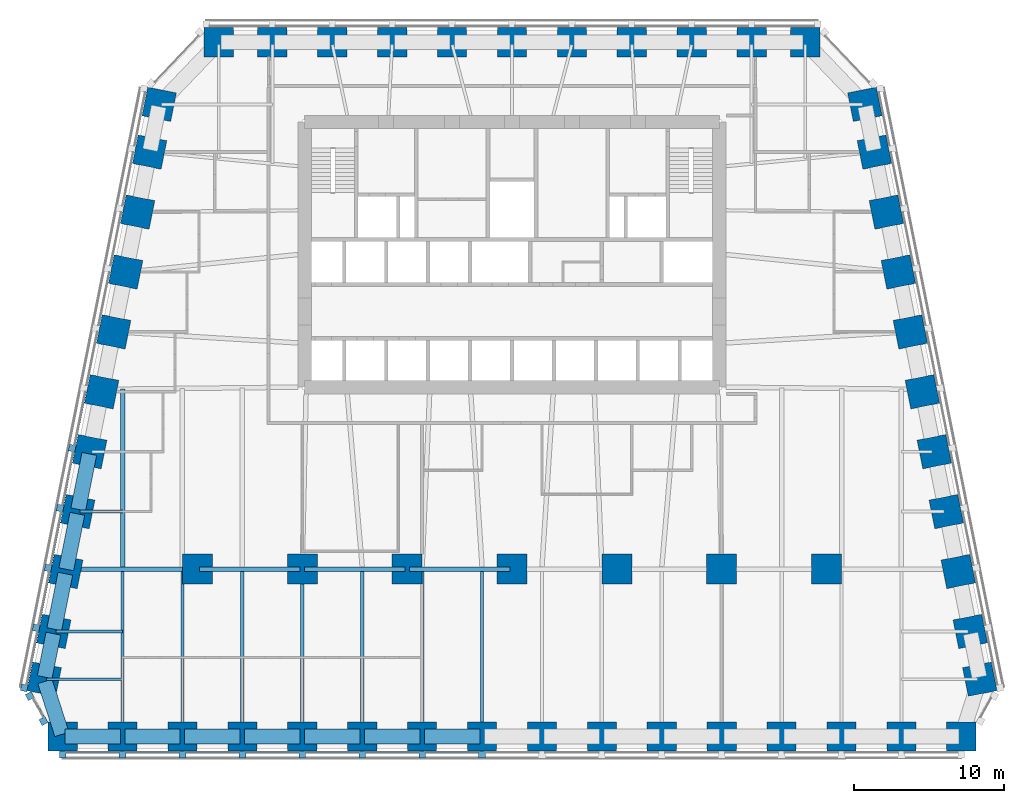
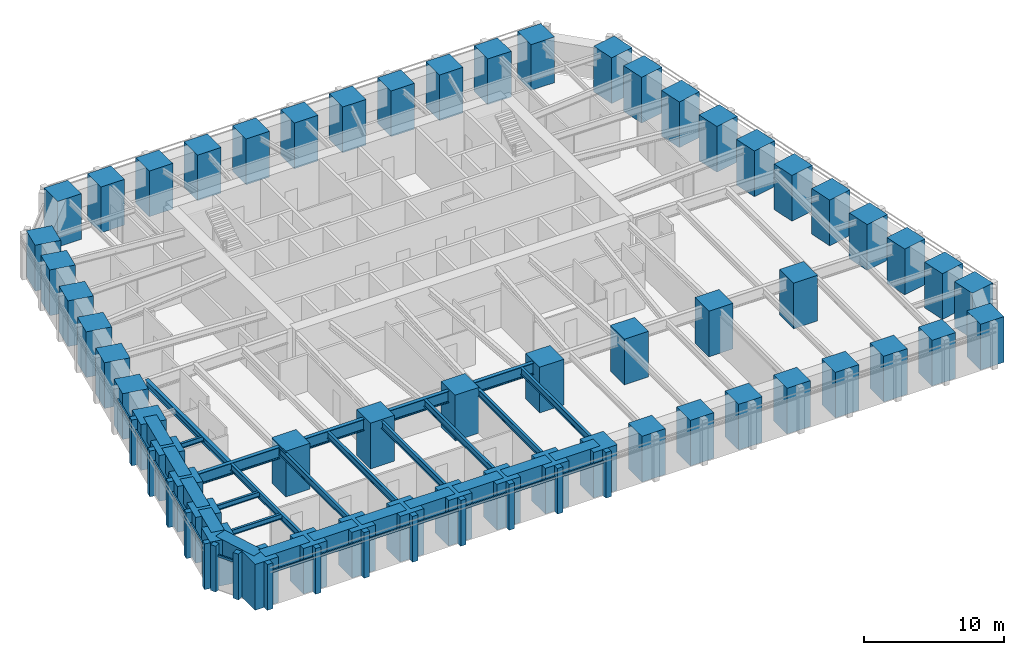
# One storey, part 1 of 10: 56 columns, 28 members, 27 beams, 3 elements without a shape of their own.
"""IFC4 building model written with IfcOpenShell, lengths in metres."""

from ifc_helpers import new_model, si_unit, direction, frame, origin, origin_2d, place, context, subcontext, project, spatial, rectangle, i_section, extrude, material, material_profile, profile_set, type_object, element, aggregate, save


model = new_model("IFC4")

# Units and contexts
model_context = context("Model", 3, precision=1e-05, world=origin(), true_north=direction((0.0, 1.0)))
body_context = subcontext(model_context, "Body", "Model", "MODEL_VIEW")
ifc_project = project(units=[si_unit("LENGTHUNIT", "METRE"), si_unit("AREAUNIT", "SQUARE_METRE"), si_unit("VOLUMEUNIT", "CUBIC_METRE"), si_unit("PLANEANGLEUNIT", "RADIAN"), si_unit("MASSUNIT", "GRAM", prefix="KILO")], contexts=[model_context])

# Site, building, storey
site_placement = place(None, origin())
site = spatial("IfcSite", under=ifc_project, at=site_placement, CompositionType="ELEMENT")
building_placement = place(site_placement, origin())
building = spatial("IfcBuilding", under=site, at=building_placement, Name="Isbrekke Arena Tower", CompositionType="ELEMENT")
storey_placement = place(building_placement, frame((0.0, 0.0, 56.0)))
storey = spatial("IfcBuildingStorey", under=building, at=storey_placement, Name="L11", CompositionType="ELEMENT", Elevation=56.0)

# Columns
ifc_material_1 = material(Name="Concrete B90 (C90/105)", Category="concrete")
ifc_material_profile_1 = material_profile(ifc_material_1, rectangle(XDim=2.0, YDim=2.0, at=origin_2d()), Name="RC 2000x2000")
ifc_profile_set_1 = profile_set([ifc_material_profile_1], Name="Concrete B90 (C90/105)")
column_type_1 = type_object("IfcColumnType", Name="C11 RC 2000 x 2000", PredefinedType="COLUMN", material=ifc_profile_set_1)
for number, where, z_axis, x_axis, name in (
    (1, (-21.0, -6.0, 0.0), (0.0, 0.0, 1.0), (1.0, 0.0, 0.0), "C11 I01"),
    (2, (-14.0, -6.0, 0.0), (0.0, 0.0, 1.0), (1.0, 0.0, 0.0), "C11 I02"),
    (3, (-7.0, -6.0, 0.0), (0.0, 0.0, 1.0), (1.0, 0.0, 0.0), "C11 I03"),
    (4, (0.0, -6.0, 0.0), (0.0, 0.0, 1.0), (1.0, 0.0, 0.0), "C11 I04"),
    (5, (7.0, -6.0, 0.0), (0.0, 0.0, 1.0), (1.0, 0.0, 0.0), "C11 I05"),
    (6, (14.0, -6.0, 0.0), (0.0, 0.0, 1.0), (1.0, 0.0, 0.0), "C11 I06"),
    (7, (21.0, -6.0, 0.0), (0.0, 0.0, 1.0), (1.0, 0.0, 0.0), "C11 I07"),
):
    element("IfcColumn", number, at=place(storey_placement, frame(where, z_axis=z_axis, x_axis=x_axis)), inside=storey, type_object=column_type_1, Name=name, PredefinedType="COLUMN", context=body_context, shape_type="SweptSolid", body=[
        extrude(rectangle(XDim=2.0, YDim=2.0, at=origin_2d()), origin(), (0.0, 0.0, 1.0), 4.0),
    ])
ifc_material_2 = material(Name="Concrete B90 (C90/105)", Category="concrete")
ifc_material_profile_2 = material_profile(ifc_material_2, rectangle(XDim=1.949951171875, YDim=1.949951171875, at=origin_2d()), Name="RC 1950x1950")
ifc_profile_set_2 = profile_set([ifc_material_profile_2], Name="Concrete B90 (C90/105)")
column_type_2 = type_object("IfcColumnType", Name="C2 RC 1950 x 1950", PredefinedType="COLUMN", material=ifc_profile_set_2)
for number, where, z_axis, x_axis, name in (
    (8, (-30.0, -17.175048828125, 0.0), (0.0, 0.0, 1.0), (1.0, 0.0, 0.0), "C2 S01"),
    (9, (-26.0, -17.175048828125, 0.0), (0.0, 0.0, 1.0), (1.0, 0.0, 0.0), "C2 S02"),
    (10, (-22.0, -17.175048828125, 0.0), (0.0, 0.0, 1.0), (1.0, 0.0, 0.0), "C2 S03"),
    (11, (-18.0, -17.175048828125, 0.0), (0.0, 0.0, 1.0), (1.0, 0.0, 0.0), "C2 S04"),
    (12, (-14.0, -17.175048828125, 0.0), (0.0, 0.0, 1.0), (1.0, 0.0, 0.0), "C2 S05"),
    (13, (-10.0, -17.175048828125, 0.0), (0.0, 0.0, 1.0), (1.0, 0.0, 0.0), "C2 S06"),
    (14, (-6.0, -17.175048828125, 0.0), (0.0, 0.0, 1.0), (1.0, 0.0, 0.0), "C2 S07"),
    (15, (-2.0, -17.175048828125, 0.0), (0.0, 0.0, 1.0), (1.0, 0.0, 0.0), "C2 S08"),
    (16, (2.0, -17.175048828125, 0.0), (0.0, 0.0, 1.0), (1.0, 0.0, 0.0), "C2 S09"),
    (17, (6.0, -17.175048828125, 0.0), (0.0, 0.0, 1.0), (1.0, 0.0, 0.0), "C2 S10"),
    (18, (10.0, -17.175048828125, 0.0), (0.0, 0.0, 1.0), (1.0, 0.0, 0.0), "C2 S11"),
    (19, (14.0, -17.175048828125, 0.0), (0.0, 0.0, 1.0), (1.0, 0.0, 0.0), "C2 S12"),
    (20, (18.0, -17.175048828125, 0.0), (0.0, 0.0, 1.0), (1.0, 0.0, 0.0), "C2 S13"),
    (21, (22.0, -17.175048828125, 0.0), (0.0, 0.0, 1.0), (1.0, 0.0, 0.0), "C2 S14"),
    (22, (26.0, -17.175048828125, 0.0), (0.0, 0.0, 1.0), (1.0, 0.0, 0.0), "C2 S15"),
    (23, (30.0, -17.175048828125, 0.0), (0.0, 0.0, 1.0), (1.0, 0.0, 0.0), "C2 S16"),
    (24, (31.229248046875, -13.352783203125, 0.0), (0.0, 0.0, 1.0), (-0.196116135138, 0.980580675691, 0.0), "C2 E01"),
    (25, (30.591064453125, -10.161865234375, 0.0), (0.0, 0.0, 1.0), (-0.196116135138, 0.980580675691, 0.0), "C2 E02"),
    (26, (29.791015625, -6.161865234375, 0.0), (0.0, 0.0, 1.0), (-0.196116135138, 0.980580675691, 0.0), "C2 E03"),
    (27, (28.990966796875, -2.161865234375, 0.0), (0.0, 0.0, 1.0), (-0.196116135138, 0.980580675691, 0.0), "C2 E04"),
    (28, (28.19091796875, 1.838134765625, 0.0), (0.0, 0.0, 1.0), (-0.196116135138, 0.980580675691, 0.0), "C2 E05"),
    (29, (27.39111328125, 5.838134765625, 0.0), (0.0, 0.0, 1.0), (-0.196116135138, 0.980580675691, 0.0), "C2 E06"),
    (30, (26.591064453125, 9.838134765625, 0.0), (0.0, 0.0, 1.0), (-0.196116135138, 0.980580675691, 0.0), "C2 E07"),
    (31, (25.791015625, 13.838134765625, 0.0), (0.0, 0.0, 1.0), (-0.196116135138, 0.980580675691, 0.0), "C2 E08"),
    (32, (24.990966796875, 17.838134765625, 0.0), (0.0, 0.0, 1.0), (-0.196116135138, 0.980580675691, 0.0), "C2 E09"),
    (33, (24.19091796875, 21.838134765625, 0.0), (0.0, 0.0, 1.0), (-0.196116135138, 0.980580675691, 0.0), "C2 E10"),
    (34, (23.552734375, 25.029296875, 0.0), (0.0, 0.0, 1.0), (-0.196116135138, 0.980580675691, 0.0), "C2 E11"),
    (35, (19.574951171875, 29.175048828125, 0.0), (0.0, 0.0, 1.0), (-1.0, 0.0, 0.0), "C2 N01"),
    (36, (16.0, 29.175048828125, 0.0), (0.0, 0.0, 1.0), (-1.0, 0.0, 0.0), "C2 N02"),
    (37, (12.0, 29.175048828125, 0.0), (0.0, 0.0, 1.0), (-1.0, 0.0, 0.0), "C2 N03"),
    (38, (8.0, 29.175048828125, 0.0), (0.0, 0.0, 1.0), (-1.0, 0.0, 0.0), "C2 N04"),
    (39, (4.0, 29.175048828125, 0.0), (0.0, 0.0, 1.0), (-1.0, 0.0, 0.0), "C2 N05"),
    (40, (0.0, 29.175048828125, 0.0), (0.0, 0.0, 1.0), (-1.0, 0.0, 0.0), "C2 N06"),
    (41, (-4.0, 29.175048828125, 0.0), (0.0, 0.0, 1.0), (-1.0, 0.0, 0.0), "C2 N07"),
    (42, (-8.0, 29.175048828125, 0.0), (0.0, 0.0, 1.0), (-1.0, 0.0, 0.0), "C2 N08"),
    (43, (-12.0, 29.175048828125, 0.0), (0.0, 0.0, 1.0), (-1.0, 0.0, 0.0), "C2 N09"),
    (44, (-16.0, 29.175048828125, 0.0), (0.0, 0.0, 1.0), (-1.0, 0.0, 0.0), "C2 N10"),
    (45, (-19.574951171875, 29.175048828125, 0.0), (0.0, 0.0, 1.0), (-1.0, 0.0, 0.0), "C2 N11"),
    (46, (-23.552734375, 25.029296875, 0.0), (0.0, 0.0, 1.0), (-0.196116135138, -0.980580675691, 0.0), "C2 W01"),
    (47, (-24.19091796875, 21.838134765625, 0.0), (0.0, 0.0, 1.0), (-0.196116135138, -0.980580675691, 0.0), "C2 W02"),
    (48, (-24.990966796875, 17.838134765625, 0.0), (0.0, 0.0, 1.0), (-0.196116135138, -0.980580675691, 0.0), "C2 W03"),
    (49, (-25.791015625, 13.838134765625, 0.0), (0.0, 0.0, 1.0), (-0.196116135138, -0.980580675691, 0.0), "C2 W04"),
    (50, (-26.591064453125, 9.838134765625, 0.0), (0.0, 0.0, 1.0), (-0.196116135138, -0.980580675691, 0.0), "C2 W05"),
    (51, (-27.39111328125, 5.838134765625, 0.0), (0.0, 0.0, 1.0), (-0.196116135138, -0.980580675691, 0.0), "C2 W06"),
    (52, (-28.19091796875, 1.838134765625, 0.0), (0.0, 0.0, 1.0), (-0.196116135138, -0.980580675691, 0.0), "C2 W07"),
    (53, (-28.990966796875, -2.161865234375, 0.0), (0.0, 0.0, 1.0), (-0.196116135138, -0.980580675691, 0.0), "C2 W08"),
    (54, (-29.791015625, -6.161865234375, 0.0), (0.0, 0.0, 1.0), (-0.196116135138, -0.980580675691, 0.0), "C2 W09"),
    (55, (-30.591064453125, -10.161865234375, 0.0), (0.0, 0.0, 1.0), (-0.196116135138, -0.980580675691, 0.0), "C2 W10"),
    (56, (-31.229248046875, -13.352783203125, 0.0), (0.0, 0.0, 1.0), (-0.196116135138, -0.980580675691, 0.0), "C2 W11"),
):
    element("IfcColumn", number, at=place(storey_placement, frame(where, z_axis=z_axis, x_axis=x_axis)), inside=storey, type_object=column_type_2, Name=name, PredefinedType="COLUMN", context=body_context, shape_type="SweptSolid", body=[
        extrude(rectangle(XDim=1.949951171875, YDim=1.949951171875, at=origin_2d()), origin(), (0.0, 0.0, 1.0), 4.0),
    ])

# Beams
ifc_material_3 = material(Name="Steel S355", Category="steel")
ifc_material_profile_3 = material_profile(ifc_material_3, i_section(OverallWidth=0.219970703125, OverallDepth=0.60009765625, WebThickness=0.011962890625, FlangeThickness=0.01904296875, FilletRadius=0.02392578125, at=origin_2d()), Name="IPE 600")
ifc_profile_set_3 = profile_set([ifc_material_profile_3], Name="Steel S355")
beam_type_1 = type_object("IfcBeamType", Name="B1 IPE 600", PredefinedType="BEAM", material=ifc_profile_set_3)
for number, where, z_axis, x_axis, name in (
    (57, (-26.0, -17.02490234375, 3.550048828125), (0.0, 1.0, 0.0), (-1.0, 0.0, 0.0), "B1 beam S-S02 L11"),
    (58, (-22.0, -17.02490234375, 3.550048828125), (0.0, 1.0, 0.0), (-1.0, 0.0, 0.0), "B1 beam S-S03 L11"),
    (59, (-18.0, -17.02490234375, 3.550048828125), (0.0, 1.0, 0.0), (-1.0, 0.0, 0.0), "B1 beam S-S04 L11"),
):
    element("IfcBeam", number, at=place(storey_placement, frame(where, z_axis=z_axis, x_axis=x_axis)), inside=storey, type_object=beam_type_1, Name=name, PredefinedType="BEAM", context=body_context, shape_type="SweptSolid", body=[
        extrude(i_section(OverallWidth=0.219970703125, OverallDepth=0.60009765625, WebThickness=0.011962890625, FlangeThickness=0.01904296875, FilletRadius=0.02392578125, at=origin_2d()), origin(), (0.0, 0.0, 1.0), 10.8740234375),
    ])
beam_1_placement = place(storey_placement, frame((-14.0, -17.02490234375, 3.550048828125), z_axis=(0.0, 1.0, 0.0), x_axis=(-1.0, 0.0, 0.0)))
element("IfcBeam", 60, at=beam_1_placement, inside=storey, type_object=beam_type_1, Name="B1 beam S-S05 L11", PredefinedType="BEAM", context=body_context, shape_type="SweptSolid", body=[
    extrude(i_section(OverallWidth=0.219970703125, OverallDepth=0.60009765625, WebThickness=0.011962890625, FlangeThickness=0.01904296875, FilletRadius=0.02392578125, at=origin_2d()), origin(), (0.0, 0.0, 1.0), 10.875),
])
for number, where, z_axis, x_axis, name in (
    (61, (-10.0, -17.02490234375, 3.550048828125), (0.0, 1.0, 0.0), (-1.0, 0.0, 0.0), "B1 beam S-S06 L11"),
    (62, (-6.0, -17.02490234375, 3.550048828125), (0.0, 1.0, 0.0), (-1.0, 0.0, 0.0), "B1 beam S-S07 L11"),
    (63, (-2.0, -17.02490234375, 3.550048828125), (0.0, 1.0, 0.0), (-1.0, 0.0, 0.0), "B1 beam S-S08 L11"),
):
    element("IfcBeam", number, at=place(storey_placement, frame(where, z_axis=z_axis, x_axis=x_axis)), inside=storey, type_object=beam_type_1, Name=name, PredefinedType="BEAM", context=body_context, shape_type="SweptSolid", body=[
        extrude(i_section(OverallWidth=0.219970703125, OverallDepth=0.60009765625, WebThickness=0.011962890625, FlangeThickness=0.01904296875, FilletRadius=0.02392578125, at=origin_2d()), origin(), (0.0, 0.0, 1.0), 10.8740234375),
    ])
ifc_material_4 = material(Name="Steel S355", Category="steel")
ifc_material_profile_4 = material_profile(ifc_material_4, i_section(OverallWidth=0.18994140625, OverallDepth=0.449951171875, WebThickness=0.009521484375, FlangeThickness=0.0146484375, FilletRadius=0.02099609375, at=origin_2d()), Name="IPE 450")
ifc_profile_set_4 = profile_set([ifc_material_profile_4], Name="Steel S355")
beam_type_2 = type_object("IfcBeamType", Name="B2 IPE 450", PredefinedType="BEAM", material=ifc_profile_set_4)
beam_2_placement = place(storey_placement, frame((-28.841064453125, -2.161865234375, 3.625), z_axis=(1.0, 0.0, 0.0), x_axis=(0.0, 1.0, 0.0)))
element("IfcBeam", 64, at=beam_2_placement, inside=storey, type_object=beam_type_2, Name="B2 beam E-W08 L11", PredefinedType="BEAM", context=body_context, shape_type="SweptSolid", body=[
    extrude(i_section(OverallWidth=0.18994140625, OverallDepth=0.449951171875, WebThickness=0.009521484375, FlangeThickness=0.0146484375, FilletRadius=0.02099609375, at=origin_2d()), origin(), (0.0, 0.0, 1.0), 2.841064453125),
])
beam_3_placement = place(storey_placement, frame((-30.44091796875, -10.161865234375, 3.625), z_axis=(1.0, 0.0, 0.0), x_axis=(0.0, 1.0, 0.0)))
element("IfcBeam", 65, at=beam_3_placement, inside=storey, type_object=beam_type_2, Name="B2 beam E-W10 L11", PredefinedType="BEAM", context=body_context, shape_type="SweptSolid", body=[
    extrude(i_section(OverallWidth=0.18994140625, OverallDepth=0.449951171875, WebThickness=0.009521484375, FlangeThickness=0.0146484375, FilletRadius=0.02099609375, at=origin_2d()), origin(), (0.0, 0.0, 1.0), 4.44091796875),
])
beam_4_placement = place(storey_placement, frame((-31.079345703125, -13.352783203125, 3.625), z_axis=(1.0, 0.0, 0.0), x_axis=(0.0, 1.0, 0.0)))
element("IfcBeam", 66, at=beam_4_placement, inside=storey, type_object=beam_type_2, Name="B2 beam E-W11 L11", PredefinedType="BEAM", context=body_context, shape_type="SweptSolid", body=[
    extrude(i_section(OverallWidth=0.18994140625, OverallDepth=0.449951171875, WebThickness=0.009521484375, FlangeThickness=0.0146484375, FilletRadius=0.02099609375, at=origin_2d()), origin(), (0.0, 0.0, 1.0), 5.079345703125),
])
ifc_material_5 = material(Name="Steel S355", Category="steel")
ifc_material_profile_5 = material_profile(ifc_material_5, i_section(OverallWidth=0.300048828125, OverallDepth=0.60009765625, WebThickness=0.015380859375, FlangeThickness=0.030029296875, FilletRadius=0.027099609375, at=origin_2d()), Name="HEB 600")
ifc_profile_set_5 = profile_set([ifc_material_profile_5], Name="Steel S355")
beam_type_3 = type_object("IfcBeamType", Name="B7 HEB 600", PredefinedType="BEAM", material=ifc_profile_set_5)
beam_5_placement = place(storey_placement, frame((-26.0, -5.84912109375, 3.550048828125), z_axis=(0.0, 1.0, 0.0), x_axis=(-1.0, 0.0, 0.0)))
element("IfcBeam", 67, at=beam_5_placement, inside=storey, type_object=beam_type_3, Name="B7 beam C-M01 L11", PredefinedType="BEAM", context=body_context, shape_type="SweptSolid", body=[
    extrude(i_section(OverallWidth=0.300048828125, OverallDepth=0.60009765625, WebThickness=0.015380859375, FlangeThickness=0.030029296875, FilletRadius=0.027099609375, at=origin_2d()), origin(), (0.0, 0.0, 1.0), 11.864990234375),
])

# Curtain wall, members
ifc_material_6 = material(Name="Glazed aluminium curtain wall", Category="aluminium")
curtain_wall_type = type_object("IfcCurtainWallType", Name="CWL TOWER CURTAIN WALL LOW ZONE", PredefinedType="USERDEFINED", material=ifc_material_6)
curtain_wall_1_placement = place(storey_placement, origin())
curtain_wall_1 = element("IfcCurtainWall", 68, at=curtain_wall_1_placement, inside=storey, type_object=curtain_wall_type, Name="CWL curtain wall L11-S", ObjectType="TOWER CURTAIN WALL LOW ZONE", PredefinedType="USERDEFINED")
ifc_material_7 = material(Name="Aluminium mullion, pale brick slip cladding", Category="masonry")
ifc_material_profile_6 = material_profile(ifc_material_7, rectangle(XDim=0.449951171875, YDim=0.449951171875, at=origin_2d()), Name="PIER 450X450")
ifc_profile_set_6 = profile_set([ifc_material_profile_6], Name="Aluminium mullion, pale brick slip cladding")
member_type_1 = type_object("IfcMemberType", Name="CWL-M PIER MULLION 450 x 450", PredefinedType="MULLION", material=ifc_profile_set_6)
member_1_placement = place(storey_placement, frame((-30.0, -18.375, 0.0), z_axis=(0.0, 0.0, 1.0), x_axis=(1.0, 0.0, 0.0)))
member_1 = element("IfcMember", 69, at=member_1_placement, type_object=member_type_1, Name="CWL-M mullion 1", PredefinedType="MULLION", context=body_context, shape_type="SweptSolid", body=[
    extrude(rectangle(XDim=0.449951171875, YDim=0.449951171875, at=origin_2d()), origin(), (0.0, 0.0, 1.0), 4.0),
])
member_2_placement = place(storey_placement, frame((-26.0, -18.375, 0.0), z_axis=(0.0, 0.0, 1.0), x_axis=(1.0, 0.0, 0.0)))
member_2 = element("IfcMember", 70, at=member_2_placement, type_object=member_type_1, Name="CWL-M mullion 2", PredefinedType="MULLION", context=body_context, shape_type="SweptSolid", body=[
    extrude(rectangle(XDim=0.449951171875, YDim=0.449951171875, at=origin_2d()), origin(), (0.0, 0.0, 1.0), 4.0),
])
member_3_placement = place(storey_placement, frame((-22.0, -18.375, 0.0), z_axis=(0.0, 0.0, 1.0), x_axis=(1.0, 0.0, 0.0)))
member_3 = element("IfcMember", 71, at=member_3_placement, type_object=member_type_1, Name="CWL-M mullion 3", PredefinedType="MULLION", context=body_context, shape_type="SweptSolid", body=[
    extrude(rectangle(XDim=0.449951171875, YDim=0.449951171875, at=origin_2d()), origin(), (0.0, 0.0, 1.0), 4.0),
])
member_4_placement = place(storey_placement, frame((-18.0, -18.375, 0.0), z_axis=(0.0, 0.0, 1.0), x_axis=(1.0, 0.0, 0.0)))
member_4 = element("IfcMember", 72, at=member_4_placement, type_object=member_type_1, Name="CWL-M mullion 4", PredefinedType="MULLION", context=body_context, shape_type="SweptSolid", body=[
    extrude(rectangle(XDim=0.449951171875, YDim=0.449951171875, at=origin_2d()), origin(), (0.0, 0.0, 1.0), 4.0),
])
member_5_placement = place(storey_placement, frame((-14.0, -18.375, 0.0), z_axis=(0.0, 0.0, 1.0), x_axis=(1.0, 0.0, 0.0)))
member_5 = element("IfcMember", 73, at=member_5_placement, type_object=member_type_1, Name="CWL-M mullion 5", PredefinedType="MULLION", context=body_context, shape_type="SweptSolid", body=[
    extrude(rectangle(XDim=0.449951171875, YDim=0.449951171875, at=origin_2d()), origin(), (0.0, 0.0, 1.0), 4.0),
])
member_6_placement = place(storey_placement, frame((-10.0, -18.375, 0.0), z_axis=(0.0, 0.0, 1.0), x_axis=(1.0, 0.0, 0.0)))
member_6 = element("IfcMember", 74, at=member_6_placement, type_object=member_type_1, Name="CWL-M mullion 6", PredefinedType="MULLION", context=body_context, shape_type="SweptSolid", body=[
    extrude(rectangle(XDim=0.449951171875, YDim=0.449951171875, at=origin_2d()), origin(), (0.0, 0.0, 1.0), 4.0),
])
member_7_placement = place(storey_placement, frame((-6.0, -18.375, 0.0), z_axis=(0.0, 0.0, 1.0), x_axis=(1.0, 0.0, 0.0)))
member_7 = element("IfcMember", 75, at=member_7_placement, type_object=member_type_1, Name="CWL-M mullion 7", PredefinedType="MULLION", context=body_context, shape_type="SweptSolid", body=[
    extrude(rectangle(XDim=0.449951171875, YDim=0.449951171875, at=origin_2d()), origin(), (0.0, 0.0, 1.0), 4.0),
])
member_8_placement = place(storey_placement, frame((-2.0, -18.375, 0.0), z_axis=(0.0, 0.0, 1.0), x_axis=(1.0, 0.0, 0.0)))
member_8 = element("IfcMember", 76, at=member_8_placement, type_object=member_type_1, Name="CWL-M mullion 8", PredefinedType="MULLION", context=body_context, shape_type="SweptSolid", body=[
    extrude(rectangle(XDim=0.449951171875, YDim=0.449951171875, at=origin_2d()), origin(), (0.0, 0.0, 1.0), 4.0),
])

curtain_wall_2_placement = place(storey_placement, origin())
curtain_wall_2 = element("IfcCurtainWall", 77, at=curtain_wall_2_placement, inside=storey, type_object=curtain_wall_type, Name="CWL curtain wall L11-W", ObjectType="TOWER CURTAIN WALL LOW ZONE", PredefinedType="USERDEFINED")
member_9_placement = place(storey_placement, frame((-29.36767578125, 2.073486328125, 0.0), z_axis=(0.0, 0.0, 1.0), x_axis=(-0.196116135138, -0.980580675691, 0.0)))
member_9 = element("IfcMember", 78, at=member_9_placement, type_object=member_type_1, Name="CWL-M mullion 7", PredefinedType="MULLION", context=body_context, shape_type="SweptSolid", body=[
    extrude(rectangle(XDim=0.449951171875, YDim=0.449951171875, at=origin_2d()), origin(), (0.0, 0.0, 1.0), 4.0),
])
member_10_placement = place(storey_placement, frame((-30.167724609375, -1.926513671875, 0.0), z_axis=(0.0, 0.0, 1.0), x_axis=(-0.196116135138, -0.980580675691, 0.0)))
member_10 = element("IfcMember", 79, at=member_10_placement, type_object=member_type_1, Name="CWL-M mullion 8", PredefinedType="MULLION", context=body_context, shape_type="SweptSolid", body=[
    extrude(rectangle(XDim=0.449951171875, YDim=0.449951171875, at=origin_2d()), origin(), (0.0, 0.0, 1.0), 4.0),
])
member_11_placement = place(storey_placement, frame((-30.9677734375, -5.926513671875, 0.0), z_axis=(0.0, 0.0, 1.0), x_axis=(-0.196116135138, -0.980580675691, 0.0)))
member_11 = element("IfcMember", 80, at=member_11_placement, type_object=member_type_1, Name="CWL-M mullion 9", PredefinedType="MULLION", context=body_context, shape_type="SweptSolid", body=[
    extrude(rectangle(XDim=0.449951171875, YDim=0.449951171875, at=origin_2d()), origin(), (0.0, 0.0, 1.0), 4.0),
])
member_12_placement = place(storey_placement, frame((-31.767822265625, -9.926513671875, 0.0), z_axis=(0.0, 0.0, 1.0), x_axis=(-0.196116135138, -0.980580675691, 0.0)))
member_12 = element("IfcMember", 81, at=member_12_placement, type_object=member_type_1, Name="CWL-M mullion 10", PredefinedType="MULLION", context=body_context, shape_type="SweptSolid", body=[
    extrude(rectangle(XDim=0.449951171875, YDim=0.449951171875, at=origin_2d()), origin(), (0.0, 0.0, 1.0), 4.0),
])
member_13_placement = place(storey_placement, frame((-32.567626953125, -13.926513671875, 0.0), z_axis=(0.0, 0.0, 1.0), x_axis=(-0.196116135138, -0.980580675691, 0.0)))
member_13 = element("IfcMember", 82, at=member_13_placement, type_object=member_type_1, Name="CWL-M mullion 11", PredefinedType="MULLION", context=body_context, shape_type="SweptSolid", body=[
    extrude(rectangle(XDim=0.449951171875, YDim=0.449951171875, at=origin_2d()), origin(), (0.0, 0.0, 1.0), 4.0),
])

curtain_wall_3_placement = place(storey_placement, origin())
curtain_wall_3 = element("IfcCurtainWall", 83, at=curtain_wall_3_placement, inside=storey, type_object=curtain_wall_type, Name="CWL curtain wall L11-WS", ObjectType="TOWER CURTAIN WALL LOW ZONE", PredefinedType="USERDEFINED")
member_14_placement = place(storey_placement, frame((-32.19580078125, -14.474609375, 0.0), z_axis=(0.0, 0.0, 1.0), x_axis=(0.481918749773, -0.876215908676, 0.0)))
member_14 = element("IfcMember", 84, at=member_14_placement, type_object=member_type_1, Name="CWL-M mullion 1", PredefinedType="MULLION", context=body_context, shape_type="SweptSolid", body=[
    extrude(rectangle(XDim=0.449951171875, YDim=0.449951171875, at=origin_2d()), origin(), (0.0, 0.0, 1.0), 4.0),
])
member_15_placement = place(storey_placement, frame((-31.277587890625, -16.14404296875, 0.0), z_axis=(0.0, 0.0, 1.0), x_axis=(0.481918749773, -0.876215908676, 0.0)))
member_15 = element("IfcMember", 85, at=member_15_placement, type_object=member_type_1, Name="CWL-M mullion 2", PredefinedType="MULLION", context=body_context, shape_type="SweptSolid", body=[
    extrude(rectangle(XDim=0.449951171875, YDim=0.449951171875, at=origin_2d()), origin(), (0.0, 0.0, 1.0), 4.0),
])

# Member
ifc_material_8 = material(Name="Aluminium transom", Category="aluminium")
ifc_material_profile_7 = material_profile(ifc_material_8, rectangle(XDim=0.1201171875, YDim=0.199951171875, at=origin_2d()), Name="TRANSOM 120X200")
ifc_profile_set_7 = profile_set([ifc_material_profile_7], Name="Aluminium transom")
member_type_2 = type_object("IfcMemberType", Name="CWL-T TRANSOM 120 x 200", PredefinedType="USERDEFINED", material=ifc_profile_set_7)
member_16_placement = place(storey_placement, frame((-29.77490234375, -18.25, 3.0), z_axis=(1.0, 0.0, 0.0), x_axis=(0.0, 1.0, 0.0)))
member_16 = element("IfcMember", 86, at=member_16_placement, type_object=member_type_2, Name="CWL-T transom 1", ObjectType="TRANSOM", PredefinedType="USERDEFINED", context=body_context, shape_type="SweptSolid", body=[
    extrude(rectangle(XDim=0.1201171875, YDim=0.199951171875, at=origin_2d()), origin(), (0.0, 0.0, 1.0), 3.5498046875),
])

member_17_placement = place(storey_placement, frame((-25.77490234375, -18.25, 3.0), z_axis=(1.0, 0.0, 0.0), x_axis=(0.0, 1.0, 0.0)))
member_17 = element("IfcMember", 87, at=member_17_placement, type_object=member_type_2, Name="CWL-T transom 2", ObjectType="TRANSOM", PredefinedType="USERDEFINED", context=body_context, shape_type="SweptSolid", body=[
    extrude(rectangle(XDim=0.1201171875, YDim=0.199951171875, at=origin_2d()), origin(), (0.0, 0.0, 1.0), 3.5498046875),
])

member_18_placement = place(storey_placement, frame((-21.77490234375, -18.25, 3.0), z_axis=(1.0, 0.0, 0.0), x_axis=(0.0, 1.0, 0.0)))
member_18 = element("IfcMember", 88, at=member_18_placement, type_object=member_type_2, Name="CWL-T transom 3", ObjectType="TRANSOM", PredefinedType="USERDEFINED", context=body_context, shape_type="SweptSolid", body=[
    extrude(rectangle(XDim=0.1201171875, YDim=0.199951171875, at=origin_2d()), origin(), (0.0, 0.0, 1.0), 3.5498046875),
])

member_19_placement = place(storey_placement, frame((-17.77490234375, -18.25, 3.0), z_axis=(1.0, 0.0, 0.0), x_axis=(0.0, 1.0, 0.0)))
member_19 = element("IfcMember", 89, at=member_19_placement, type_object=member_type_2, Name="CWL-T transom 4", ObjectType="TRANSOM", PredefinedType="USERDEFINED", context=body_context, shape_type="SweptSolid", body=[
    extrude(rectangle(XDim=0.1201171875, YDim=0.199951171875, at=origin_2d()), origin(), (0.0, 0.0, 1.0), 3.5498046875),
])

member_20_placement = place(storey_placement, frame((-13.77490234375, -18.25, 3.0), z_axis=(1.0, 0.0, 0.0), x_axis=(0.0, 1.0, 0.0)))
member_20 = element("IfcMember", 90, at=member_20_placement, type_object=member_type_2, Name="CWL-T transom 5", ObjectType="TRANSOM", PredefinedType="USERDEFINED", context=body_context, shape_type="SweptSolid", body=[
    extrude(rectangle(XDim=0.1201171875, YDim=0.199951171875, at=origin_2d()), origin(), (0.0, 0.0, 1.0), 3.5498046875),
])

member_21_placement = place(storey_placement, frame((-9.77490234375, -18.25, 3.0), z_axis=(1.0, 0.0, 0.0), x_axis=(0.0, 1.0, 0.0)))
member_21 = element("IfcMember", 91, at=member_21_placement, type_object=member_type_2, Name="CWL-T transom 6", ObjectType="TRANSOM", PredefinedType="USERDEFINED", context=body_context, shape_type="SweptSolid", body=[
    extrude(rectangle(XDim=0.1201171875, YDim=0.199951171875, at=origin_2d()), origin(), (0.0, 0.0, 1.0), 3.5498046875),
])

member_22_placement = place(storey_placement, frame((-5.77490234375, -18.25, 3.0), z_axis=(1.0, 0.0, 0.0), x_axis=(0.0, 1.0, 0.0)))
member_22 = element("IfcMember", 92, at=member_22_placement, type_object=member_type_2, Name="CWL-T transom 7", ObjectType="TRANSOM", PredefinedType="USERDEFINED", context=body_context, shape_type="SweptSolid", body=[
    extrude(rectangle(XDim=0.1201171875, YDim=0.199951171875, at=origin_2d()), origin(), (0.0, 0.0, 1.0), 3.5498046875),
])

aggregate(curtain_wall_1, [member_1, member_2, member_3, member_4, member_5, member_6, member_7, member_8, member_16, member_17, member_18, member_19, member_20, member_21, member_22])

member_23_placement = place(storey_placement, frame((-28.4892578125, 5.828369140625, 3.0), z_axis=(-0.196103197847, -0.98058326306, 0.0), x_axis=(0.98058326306, -0.196103197847, 0.0)))
member_23 = element("IfcMember", 93, at=member_23_placement, type_object=member_type_2, Name="CWL-T transom 6", ObjectType="TRANSOM", PredefinedType="USERDEFINED", context=body_context, shape_type="SweptSolid", body=[
    extrude(rectangle(XDim=0.1201171875, YDim=0.199951171875, at=origin_2d()), origin(), (0.0, 0.0, 1.0), 3.629150390625),
])

member_24_placement = place(storey_placement, frame((-29.289306640625, 1.828369140625, 3.0), z_axis=(-0.196103197847, -0.98058326306, 0.0), x_axis=(0.98058326306, -0.196103197847, 0.0)))
member_24 = element("IfcMember", 94, at=member_24_placement, type_object=member_type_2, Name="CWL-T transom 7", ObjectType="TRANSOM", PredefinedType="USERDEFINED", context=body_context, shape_type="SweptSolid", body=[
    extrude(rectangle(XDim=0.1201171875, YDim=0.199951171875, at=origin_2d()), origin(), (0.0, 0.0, 1.0), 3.629150390625),
])

member_25_placement = place(storey_placement, frame((-30.08935546875, -2.171630859375, 3.0), z_axis=(-0.196103197847, -0.98058326306, 0.0), x_axis=(0.98058326306, -0.196103197847, 0.0)))
member_25 = element("IfcMember", 95, at=member_25_placement, type_object=member_type_2, Name="CWL-T transom 8", ObjectType="TRANSOM", PredefinedType="USERDEFINED", context=body_context, shape_type="SweptSolid", body=[
    extrude(rectangle(XDim=0.1201171875, YDim=0.199951171875, at=origin_2d()), origin(), (0.0, 0.0, 1.0), 3.629150390625),
])

member_26_placement = place(storey_placement, frame((-30.88916015625, -6.171630859375, 3.0), z_axis=(-0.196167883278, -0.980570324643, 0.0), x_axis=(0.980570324643, -0.196167883278, 0.0)))
member_26 = element("IfcMember", 96, at=member_26_placement, type_object=member_type_2, Name="CWL-T transom 9", ObjectType="TRANSOM", PredefinedType="USERDEFINED", context=body_context, shape_type="SweptSolid", body=[
    extrude(rectangle(XDim=0.1201171875, YDim=0.199951171875, at=origin_2d()), origin(), (0.0, 0.0, 1.0), 3.629150390625),
])

member_27_placement = place(storey_placement, frame((-31.689208984375, -10.171630859375, 3.0), z_axis=(-0.196167883278, -0.980570324643, 0.0), x_axis=(0.980570324643, -0.196167883278, 0.0)))
member_27 = element("IfcMember", 97, at=member_27_placement, type_object=member_type_2, Name="CWL-T transom 10", ObjectType="TRANSOM", PredefinedType="USERDEFINED", context=body_context, shape_type="SweptSolid", body=[
    extrude(rectangle(XDim=0.1201171875, YDim=0.199951171875, at=origin_2d()), origin(), (0.0, 0.0, 1.0), 3.629150390625),
])

aggregate(curtain_wall_2, [member_9, member_10, member_11, member_12, member_13, member_23, member_24, member_25, member_26, member_27])

member_28_placement = place(storey_placement, frame((-31.977783203125, -14.611572265625, 3.0), z_axis=(0.481905867223, -0.876222993955, 0.0), x_axis=(0.876222993955, 0.481905867223, 0.0)))
member_28 = element("IfcMember", 98, at=member_28_placement, type_object=member_type_2, Name="CWL-T transom 1", ObjectType="TRANSOM", PredefinedType="USERDEFINED", context=body_context, shape_type="SweptSolid", body=[
    extrude(rectangle(XDim=0.1201171875, YDim=0.199951171875, at=origin_2d()), origin(), (0.0, 0.0, 1.0), 1.455078125),
])

aggregate(curtain_wall_3, [member_14, member_15, member_28])

# Beams
ifc_material_9 = material(Name="Steel S355", Category="steel")
ifc_material_profile_8 = material_profile(ifc_material_9, i_section(OverallWidth=0.302001953125, OverallDepth=1.008056640625, WebThickness=0.02099609375, FlangeThickness=0.0400390625, FilletRadius=0.030029296875, at=origin_2d()), Name="HEM 1000")
ifc_profile_set_8 = profile_set([ifc_material_profile_8], Name="Steel S355")
beam_type_4 = type_object("IfcBeamType", Name="G1 HEM 1000", PredefinedType="BEAM", material=ifc_profile_set_8)
beam_6_placement = place(storey_placement, frame((-29.791015625, -6.0, 3.345947265625), z_axis=(1.0, 0.0, 0.0), x_axis=(0.0, 1.0, 0.0)))
element("IfcBeam", 99, at=beam_6_placement, inside=storey, type_object=beam_type_4, Name="G1 beam G1-01 L11", PredefinedType="BEAM", context=body_context, shape_type="SweptSolid", body=[
    extrude(i_section(OverallWidth=0.302001953125, OverallDepth=1.008056640625, WebThickness=0.02099609375, FlangeThickness=0.0400390625, FilletRadius=0.030029296875, at=origin_2d()), origin(), (0.0, 0.0, 1.0), 8.64111328125),
])
for number, where, z_axis, x_axis, name in (
    (100, (-20.85009765625, -6.0, 3.345947265625), (1.0, 0.0, 0.0), (0.0, 1.0, 0.0), "G1 beam G1-02 L11"),
    (101, (-13.85009765625, -6.0, 3.345947265625), (1.0, 0.0, 0.0), (0.0, 1.0, 0.0), "G1 beam G1-03 L11"),
    (102, (-6.85009765625, -6.0, 3.345947265625), (1.0, 0.0, 0.0), (0.0, 1.0, 0.0), "G1 beam G1-04 L11"),
):
    element("IfcBeam", number, at=place(storey_placement, frame(where, z_axis=z_axis, x_axis=x_axis)), inside=storey, type_object=beam_type_4, Name=name, PredefinedType="BEAM", context=body_context, shape_type="SweptSolid", body=[
        extrude(i_section(OverallWidth=0.302001953125, OverallDepth=1.008056640625, WebThickness=0.02099609375, FlangeThickness=0.0400390625, FilletRadius=0.030029296875, at=origin_2d()), origin(), (0.0, 0.0, 1.0), 6.7001953125),
    ])
ifc_material_10 = material(Name="Concrete B90 (C90/105)", Category="concrete")
ifc_material_profile_9 = material_profile(ifc_material_10, rectangle(XDim=1.0, YDim=1.60009765625, at=origin_2d()), Name="RC 1000x1600")
ifc_profile_set_9 = profile_set([ifc_material_profile_9], Name="Concrete B90 (C90/105)")
beam_type_5 = type_object("IfcBeamType", Name="SB1 RC 1000 x 1600", PredefinedType="SPANDREL", material=ifc_profile_set_9)
for number, where, z_axis, x_axis, name in (
    (103, (-29.85009765625, -17.175048828125, 3.199951171875), (1.0, 0.0, 0.0), (0.0, 1.0, 0.0), "SB1 spandrel S01-S02 L11"),
    (104, (-25.85009765625, -17.175048828125, 3.199951171875), (1.0, 0.0, 0.0), (0.0, 1.0, 0.0), "SB1 spandrel S02-S03 L11"),
    (105, (-21.85009765625, -17.175048828125, 3.199951171875), (1.0, 0.0, 0.0), (0.0, 1.0, 0.0), "SB1 spandrel S03-S04 L11"),
    (106, (-17.85009765625, -17.175048828125, 3.199951171875), (1.0, 0.0, 0.0), (0.0, 1.0, 0.0), "SB1 spandrel S04-S05 L11"),
    (107, (-13.85009765625, -17.175048828125, 3.199951171875), (1.0, 0.0, 0.0), (0.0, 1.0, 0.0), "SB1 spandrel S05-S06 L11"),
    (108, (-9.85009765625, -17.175048828125, 3.199951171875), (1.0, 0.0, 0.0), (0.0, 1.0, 0.0), "SB1 spandrel S06-S07 L11"),
    (109, (-5.85009765625, -17.175048828125, 3.199951171875), (1.0, 0.0, 0.0), (0.0, 1.0, 0.0), "SB1 spandrel S07-S08 L11"),
):
    element("IfcBeam", number, at=place(storey_placement, frame(where, z_axis=z_axis, x_axis=x_axis)), inside=storey, type_object=beam_type_5, Name=name, PredefinedType="SPANDREL", context=body_context, shape_type="SweptSolid", body=[
        extrude(rectangle(XDim=1.0, YDim=1.60009765625, at=origin_2d()), origin(), (0.0, 0.0, 1.0), 3.7001953125),
    ])
for number, where, z_axis, x_axis, name in (
    (110, (-28.220458984375, 1.691162109375, 3.199951171875), (-0.196128558387, -0.980578190959, 0.0), (0.980578190959, -0.196128558387, 0.0), "SB1 spandrel W07-W08 L11"),
    (111, (-29.0205078125, -2.308837890625, 3.199951171875), (-0.196128558387, -0.980578190959, 0.0), (0.980578190959, -0.196128558387, 0.0), "SB1 spandrel W08-W09 L11"),
):
    element("IfcBeam", number, at=place(storey_placement, frame(where, z_axis=z_axis, x_axis=x_axis)), inside=storey, type_object=beam_type_5, Name=name, PredefinedType="SPANDREL", context=body_context, shape_type="SweptSolid", body=[
        extrude(rectangle(XDim=1.0, YDim=1.60009765625, at=origin_2d()), origin(), (0.0, 0.0, 1.0), 3.779296875),
    ])
beam_7_placement = place(storey_placement, frame((-29.820556640625, -6.308837890625, 3.199951171875), z_axis=(-0.1960664412, -0.980590613169, 0.0), x_axis=(0.980590613169, -0.1960664412, 0.0)))
element("IfcBeam", 112, at=beam_7_placement, inside=storey, type_object=beam_type_5, Name="SB1 spandrel W09-W10 L11", PredefinedType="SPANDREL", context=body_context, shape_type="SweptSolid", body=[
    extrude(rectangle(XDim=1.0, YDim=1.60009765625, at=origin_2d()), origin(), (0.0, 0.0, 1.0), 3.779052734375),
])
beam_8_placement = place(storey_placement, frame((-30.620361328125, -10.308837890625, 3.199951171875), z_axis=(-0.196100243168, -0.980583853951, 0.0), x_axis=(0.980583853951, -0.196100243168, 0.0)))
element("IfcBeam", 113, at=beam_8_placement, inside=storey, type_object=beam_type_5, Name="SB1 spandrel W10-W11 L11", PredefinedType="SPANDREL", context=body_context, shape_type="SweptSolid", body=[
    extrude(rectangle(XDim=1.0, YDim=1.60009765625, at=origin_2d()), origin(), (0.0, 0.0, 1.0), 2.954345703125),
])
beam_9_placement = place(storey_placement, frame((-31.183349609375, -13.49560546875, 3.199951171875), z_axis=(0.306175101476, -0.951975213562, 0.0), x_axis=(0.951975213562, 0.306175101476, 0.0)))
element("IfcBeam", 114, at=beam_9_placement, inside=storey, type_object=beam_type_5, Name="SB1 spandrel W11-S01 L11", PredefinedType="SPANDREL", context=body_context, shape_type="SweptSolid", body=[
    extrude(rectangle(XDim=1.0, YDim=1.60009765625, at=origin_2d()), origin(), (0.0, 0.0, 1.0), 3.715087890625),
])

save(model, "model.ifc")
